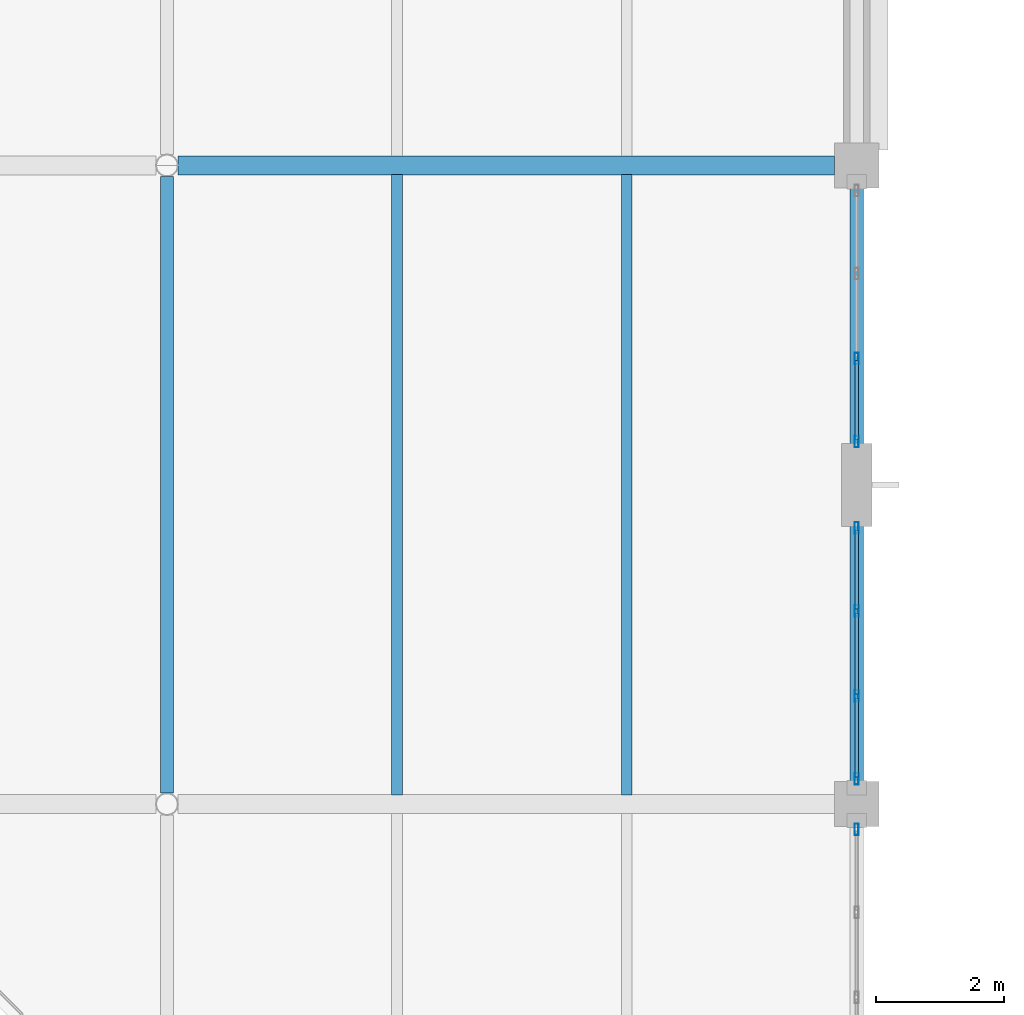
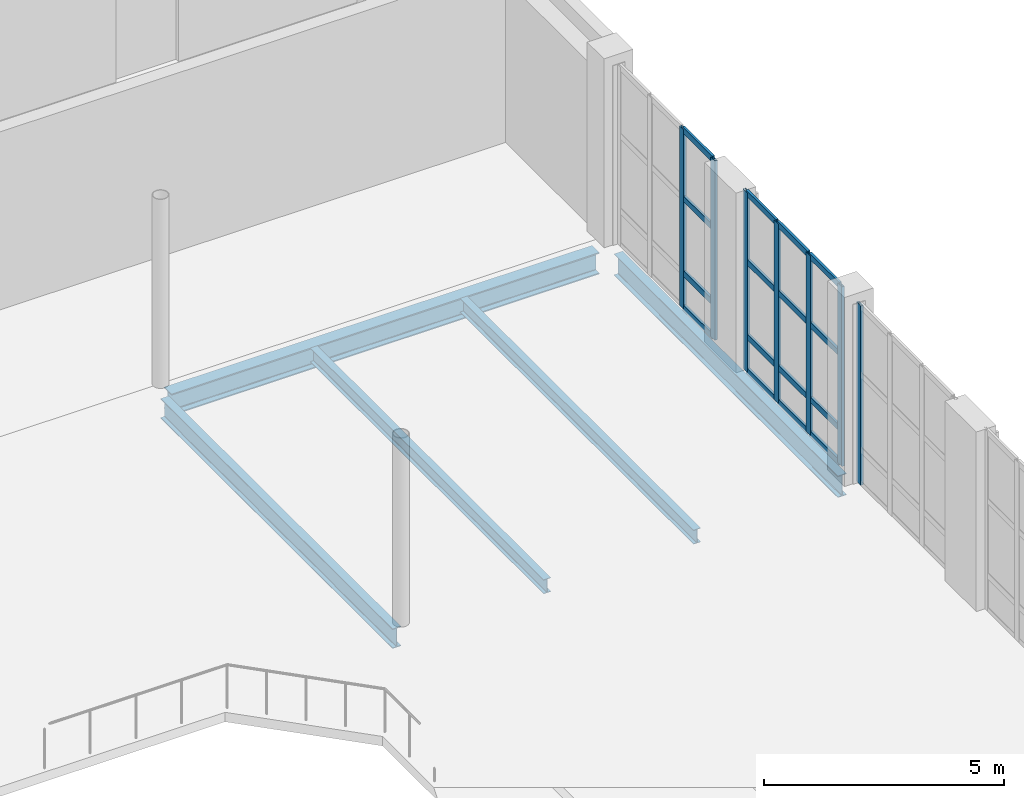
# One storey, part 43 of 92: 23 members, 5 beams, 3 elements without a shape of their own.
"""IFC4 building model written with IfcOpenShell, lengths in metres."""

from ifc_helpers import new_model, si_unit, direction, frame, origin, origin_2d, place, context, subcontext, project, spatial, hollow_rectangle, i_section, extrude, material, layer, layer_set, material_profile, profile_set, type_object, element, aggregate, save


model = new_model("IFC4")

# Units and contexts
model_context = context("Model", 3, precision=1e-05, world=origin(), true_north=direction((0.0, 1.0)))
body_context = subcontext(model_context, "Body", "Model", "MODEL_VIEW")
ifc_project = project(units=[si_unit("LENGTHUNIT", "METRE"), si_unit("AREAUNIT", "SQUARE_METRE"), si_unit("VOLUMEUNIT", "CUBIC_METRE"), si_unit("PLANEANGLEUNIT", "RADIAN"), si_unit("MASSUNIT", "GRAM", prefix="KILO")], contexts=[model_context])

# Site, building, storey
site_placement = place(None, origin())
site = spatial("IfcSite", under=ifc_project, at=site_placement, CompositionType="ELEMENT")
building_placement = place(site_placement, origin())
building = spatial("IfcBuilding", under=site, at=building_placement, Name="Tasgan Crest Museum", CompositionType="ELEMENT")
storey_placement = place(building_placement, frame((0.0, 0.0, 4.800048828125)))
storey = spatial("IfcBuildingStorey", under=building, at=storey_placement, Name="L01", CompositionType="ELEMENT", Elevation=4.800048828125)

# Beams
ifc_material_1 = material(Name="Steel S355K2", Category="steel")
ifc_material_profile_1 = material_profile(ifc_material_1, i_section(OverallWidth=0.300048828125, OverallDepth=0.550048828125, WebThickness=0.014892578125, FlangeThickness=0.029052734375, FilletRadius=0.027099609375, at=origin_2d()), Name="HEB 550")
ifc_profile_set_1 = profile_set([ifc_material_profile_1], Name="Steel S355K2")
beam_type_1 = type_object("IfcBeamType", Name="BM-G-HEB550", PredefinedType="BEAM", material=ifc_profile_set_1)
beam_1_placement = place(storey_placement, frame((97.373779296875, 82.0, -0.51513671875), z_axis=(1.0, 0.0, 0.0), x_axis=(0.0, 1.0, 0.0)))
element("IfcBeam", 1, at=beam_1_placement, inside=storey, type_object=beam_type_1, Name="Girder L01 J 97.2-108.0", PredefinedType="BEAM", context=body_context, shape_type="SweptSolid", body=[
    extrude(i_section(OverallWidth=0.300048828125, OverallDepth=0.550048828125, WebThickness=0.014892578125, FlangeThickness=0.029052734375, FilletRadius=0.027099609375, at=origin_2d()), origin(), (0.0, 0.0, 1.0), 10.2802734375),
])
ifc_material_2 = material(Name="Steel S355J2", Category="steel")
ifc_material_profile_2 = material_profile(ifc_material_2, i_section(OverallWidth=0.199951171875, OverallDepth=0.5, WebThickness=0.01025390625, FlangeThickness=0.01611328125, FilletRadius=0.02099609375, at=origin_2d()), Name="IPE 500")
ifc_profile_set_2 = profile_set([ifc_material_profile_2], Name="Steel S355J2")
beam_type_2 = type_object("IfcBeamType", Name="BM-G-IPE500", PredefinedType="BEAM", material=ifc_profile_set_2)
beam_2_placement = place(storey_placement, frame((97.199951171875, 72.1728515625, -0.489990234375), z_axis=(0.0, 1.0, 0.0), x_axis=(-1.0, 0.0, 0.0)))
element("IfcBeam", 2, at=beam_2_placement, inside=storey, type_object=beam_type_2, Name="Beam L01 10 72.0-82.0", PredefinedType="BEAM", context=body_context, shape_type="SweptSolid", body=[
    extrude(i_section(OverallWidth=0.199951171875, OverallDepth=0.5, WebThickness=0.01025390625, FlangeThickness=0.01611328125, FilletRadius=0.02099609375, at=origin_2d()), origin(), (0.0, 0.0, 1.0), 9.654296875),
])
ifc_material_3 = material(Name="Steel S355J2", Category="steel")
ifc_material_profile_3 = material_profile(ifc_material_3, i_section(OverallWidth=0.2099609375, OverallDepth=0.550048828125, WebThickness=0.010986328125, FlangeThickness=0.01708984375, FilletRadius=0.02392578125, at=origin_2d()), Name="IPE 550")
ifc_profile_set_3 = profile_set([ifc_material_profile_3], Name="Steel S355J2")
beam_type_3 = type_object("IfcBeamType", Name="BM-G-IPE550", PredefinedType="BEAM", material=ifc_profile_set_3)
beam_3_placement = place(storey_placement, frame((108.0, 72.344970703125, -0.51513671875), z_axis=(0.0, 1.0, 0.0), x_axis=(-1.0, 0.0, 0.0)))
element("IfcBeam", 3, at=beam_3_placement, inside=storey, type_object=beam_type_3, Name="Beam L01 11 72.0-82.0", PredefinedType="BEAM", context=body_context, shape_type="SweptSolid", body=[
    extrude(i_section(OverallWidth=0.2099609375, OverallDepth=0.550048828125, WebThickness=0.010986328125, FlangeThickness=0.01708984375, FilletRadius=0.02392578125, at=origin_2d()), origin(), (0.0, 0.0, 1.0), 9.31005859375),
])
ifc_material_4 = material(Name="Steel S355J2", Category="steel")
ifc_material_profile_4 = material_profile(ifc_material_4, i_section(OverallWidth=0.169921875, OverallDepth=0.360107421875, WebThickness=0.008056640625, FlangeThickness=0.0126953125, FilletRadius=0.01806640625, at=origin_2d()), Name="IPE 360")
ifc_profile_set_4 = profile_set([ifc_material_profile_4], Name="Steel S355J2")
beam_type_4 = type_object("IfcBeamType", Name="BM-J-IPE360", PredefinedType="JOIST", material=ifc_profile_set_4)
for number, where, z_axis, x_axis, name in (
    (4, (100.800048828125, 72.14501953125, -0.420166015625), (0.0, 1.0, 0.0), (-1.0, 0.0, 0.0), "Secondary joist L01 X=100.8 Y=72.0-82.0"),
    (5, (104.39990234375, 72.14501953125, -0.420166015625), (0.0, 1.0, 0.0), (-1.0, 0.0, 0.0), "Secondary joist L01 X=104.4 Y=72.0-82.0"),
):
    element("IfcBeam", number, at=place(storey_placement, frame(where, z_axis=z_axis, x_axis=x_axis)), inside=storey, type_object=beam_type_4, Name=name, PredefinedType="JOIST", context=body_context, shape_type="SweptSolid", body=[
        extrude(i_section(OverallWidth=0.169921875, OverallDepth=0.360107421875, WebThickness=0.008056640625, FlangeThickness=0.0126953125, FilletRadius=0.01806640625, at=origin_2d()), origin(), (0.0, 0.0, 1.0), 9.7099609375),
    ])

# Curtain wall, member
ifc_material_5 = material(Name="Triple-Glazed Aluminium Curtain Wall", Category="aluminium")
ifc_layer = layer(ifc_material_5, 0.179931640625, Name="CW-DRUM-Y10-48")
ifc_layer_set = layer_set([ifc_layer], Name="Triple-Glazed Aluminium Curtain Wall")
curtain_wall_type = type_object("IfcCurtainWallType", Name="CW-DRUM-Y10-48", PredefinedType="NOTDEFINED", material=ifc_layer_set)
curtain_wall_1_placement = place(storey_placement, origin())
curtain_wall_1 = element("IfcCurtainWall", 6, at=curtain_wall_1_placement, inside=storey, type_object=curtain_wall_type, Name="Curtain wall L01 058", PredefinedType="NOTDEFINED")
ifc_material_6 = material(Name="Anodised Aluminium", Category="aluminium")
ifc_material_profile_5 = material_profile(ifc_material_6, hollow_rectangle(XDim=0.06494140625, YDim=0.179931640625, WallThickness=0.0048828125, at=origin_2d()), Name="ALU MULLION 180x65x5")
ifc_profile_set_5 = profile_set([ifc_material_profile_5], Name="Anodised Aluminium")
member_type_1 = type_object("IfcMemberType", Name="CW-MULLION-180", PredefinedType="MULLION", material=ifc_profile_set_5)
member_1_placement = place(storey_placement, frame((108.0, 71.60498046875, 0.0), z_axis=(0.0, 0.0, 1.0), x_axis=(-1.0, 0.0, 0.0)))
member_1 = element("IfcMember", 7, at=member_1_placement, type_object=member_type_1, Name="CW04 mullion 4", PredefinedType="MULLION", context=body_context, shape_type="SweptSolid", body=[
    extrude(hollow_rectangle(XDim=0.06494140625, YDim=0.179931640625, WallThickness=0.0048828125, at=origin_2d()), origin(), (0.0, 0.0, 1.0), 4.56005859375),
])
aggregate(curtain_wall_1, [member_1])

# Curtain wall, members
curtain_wall_2_placement = place(storey_placement, origin())
curtain_wall_2 = element("IfcCurtainWall", 8, at=curtain_wall_2_placement, inside=storey, type_object=curtain_wall_type, Name="Curtain wall L01 059", PredefinedType="NOTDEFINED")
member_2_placement = place(storey_placement, frame((108.0, 72.39501953125, 0.0), z_axis=(0.0, 0.0, 1.0), x_axis=(-1.0, 0.0, 0.0)))
member_2 = element("IfcMember", 9, at=member_2_placement, type_object=member_type_1, Name="CW04 mullion 1", PredefinedType="MULLION", context=body_context, shape_type="SweptSolid", body=[
    extrude(hollow_rectangle(XDim=0.06494140625, YDim=0.179931640625, WallThickness=0.0048828125, at=origin_2d()), origin(), (0.0, 0.0, 1.0), 4.56005859375),
])
member_3_placement = place(storey_placement, frame((108.0, 73.695068359375, 0.0), z_axis=(0.0, 0.0, 1.0), x_axis=(-1.0, 0.0, 0.0)))
member_3 = element("IfcMember", 10, at=member_3_placement, type_object=member_type_1, Name="CW04 mullion 2", PredefinedType="MULLION", context=body_context, shape_type="SweptSolid", body=[
    extrude(hollow_rectangle(XDim=0.06494140625, YDim=0.179931640625, WallThickness=0.0048828125, at=origin_2d()), origin(), (0.0, 0.0, 1.0), 4.56005859375),
])
member_4_placement = place(storey_placement, frame((108.0, 75.02490234375, 0.0), z_axis=(0.0, 0.0, 1.0), x_axis=(-1.0, 0.0, 0.0)))
member_4 = element("IfcMember", 11, at=member_4_placement, type_object=member_type_1, Name="CW04 mullion 3", PredefinedType="MULLION", context=body_context, shape_type="SweptSolid", body=[
    extrude(hollow_rectangle(XDim=0.06494140625, YDim=0.179931640625, WallThickness=0.0048828125, at=origin_2d()), origin(), (0.0, 0.0, 1.0), 4.56005859375),
])
member_5_placement = place(storey_placement, frame((108.0, 76.324951171875, 0.0), z_axis=(0.0, 0.0, 1.0), x_axis=(-1.0, 0.0, 0.0)))
member_5 = element("IfcMember", 12, at=member_5_placement, type_object=member_type_1, Name="CW04 mullion 4", PredefinedType="MULLION", context=body_context, shape_type="SweptSolid", body=[
    extrude(hollow_rectangle(XDim=0.06494140625, YDim=0.179931640625, WallThickness=0.0048828125, at=origin_2d()), origin(), (0.0, 0.0, 1.0), 4.56005859375),
])

curtain_wall_3_placement = place(storey_placement, origin())
curtain_wall_3 = element("IfcCurtainWall", 13, at=curtain_wall_3_placement, inside=storey, type_object=curtain_wall_type, Name="Curtain wall L01 060", PredefinedType="NOTDEFINED")
member_6_placement = place(storey_placement, frame((108.0, 77.675048828125, 0.0), z_axis=(0.0, 0.0, 1.0), x_axis=(-1.0, 0.0, 0.0)))
member_6 = element("IfcMember", 14, at=member_6_placement, type_object=member_type_1, Name="CW04 mullion 1", PredefinedType="MULLION", context=body_context, shape_type="SweptSolid", body=[
    extrude(hollow_rectangle(XDim=0.06494140625, YDim=0.179931640625, WallThickness=0.0048828125, at=origin_2d()), origin(), (0.0, 0.0, 1.0), 4.56005859375),
])
member_7_placement = place(storey_placement, frame((108.0, 78.97509765625, 0.0), z_axis=(0.0, 0.0, 1.0), x_axis=(-1.0, 0.0, 0.0)))
member_7 = element("IfcMember", 15, at=member_7_placement, type_object=member_type_1, Name="CW04 mullion 2", PredefinedType="MULLION", context=body_context, shape_type="SweptSolid", body=[
    extrude(hollow_rectangle(XDim=0.06494140625, YDim=0.179931640625, WallThickness=0.0048828125, at=origin_2d()), origin(), (0.0, 0.0, 1.0), 4.56005859375),
])

# Member
ifc_material_7 = material(Name="Anodised Aluminium", Category="aluminium")
ifc_material_profile_6 = material_profile(ifc_material_7, hollow_rectangle(XDim=0.06005859375, YDim=0.14990234375, WallThickness=0.0048828125, at=origin_2d()), Name="ALU TRANSOM 150x60x5")
ifc_profile_set_6 = profile_set([ifc_material_profile_6], Name="Anodised Aluminium")
member_type_2 = type_object("IfcMemberType", Name="CW-TRANSOM-150", PredefinedType="USERDEFINED", material=ifc_profile_set_6)
member_8_placement = place(storey_placement, frame((108.0, 72.425048828125, 0.030029296875), z_axis=(0.0, 1.0, 0.0), x_axis=(-1.0, 0.0, 0.0)))
member_8 = element("IfcMember", 16, at=member_8_placement, type_object=member_type_2, Name="CW04 transom 1.1", ObjectType="TRANSOM", PredefinedType="USERDEFINED", context=body_context, shape_type="SweptSolid", body=[
    extrude(hollow_rectangle(XDim=0.06005859375, YDim=0.14990234375, WallThickness=0.0048828125, at=origin_2d()), origin(), (0.0, 0.0, 1.0), 1.239990234375),
])

member_9_placement = place(storey_placement, frame((108.0, 72.425048828125, 0.89990234375), z_axis=(0.0, 1.0, 0.0), x_axis=(-1.0, 0.0, 0.0)))
member_9 = element("IfcMember", 17, at=member_9_placement, type_object=member_type_2, Name="CW04 transom 1.2", ObjectType="TRANSOM", PredefinedType="USERDEFINED", context=body_context, shape_type="SweptSolid", body=[
    extrude(hollow_rectangle(XDim=0.06005859375, YDim=0.14990234375, WallThickness=0.0048828125, at=origin_2d()), origin(), (0.0, 0.0, 1.0), 1.239990234375),
])

member_10_placement = place(storey_placement, frame((108.0, 72.425048828125, 2.800048828125), z_axis=(0.0, 1.0, 0.0), x_axis=(-1.0, 0.0, 0.0)))
member_10 = element("IfcMember", 18, at=member_10_placement, type_object=member_type_2, Name="CW04 transom 1.3", ObjectType="TRANSOM", PredefinedType="USERDEFINED", context=body_context, shape_type="SweptSolid", body=[
    extrude(hollow_rectangle(XDim=0.06005859375, YDim=0.14990234375, WallThickness=0.0048828125, at=origin_2d()), origin(), (0.0, 0.0, 1.0), 1.239990234375),
])

member_11_placement = place(storey_placement, frame((108.0, 72.425048828125, 4.530029296875), z_axis=(0.0, 1.0, 0.0), x_axis=(-1.0, 0.0, 0.0)))
member_11 = element("IfcMember", 19, at=member_11_placement, type_object=member_type_2, Name="CW04 transom 1.4", ObjectType="TRANSOM", PredefinedType="USERDEFINED", context=body_context, shape_type="SweptSolid", body=[
    extrude(hollow_rectangle(XDim=0.06005859375, YDim=0.14990234375, WallThickness=0.0048828125, at=origin_2d()), origin(), (0.0, 0.0, 1.0), 1.239990234375),
])

member_12_placement = place(storey_placement, frame((108.0, 73.72509765625, 0.030029296875), z_axis=(0.0, 1.0, 0.0), x_axis=(-1.0, 0.0, 0.0)))
member_12 = element("IfcMember", 20, at=member_12_placement, type_object=member_type_2, Name="CW04 transom 2.1", ObjectType="TRANSOM", PredefinedType="USERDEFINED", context=body_context, shape_type="SweptSolid", body=[
    extrude(hollow_rectangle(XDim=0.06005859375, YDim=0.14990234375, WallThickness=0.0048828125, at=origin_2d()), origin(), (0.0, 0.0, 1.0), 1.27001953125),
])

member_13_placement = place(storey_placement, frame((108.0, 73.72509765625, 0.89990234375), z_axis=(0.0, 1.0, 0.0), x_axis=(-1.0, 0.0, 0.0)))
member_13 = element("IfcMember", 21, at=member_13_placement, type_object=member_type_2, Name="CW04 transom 2.2", ObjectType="TRANSOM", PredefinedType="USERDEFINED", context=body_context, shape_type="SweptSolid", body=[
    extrude(hollow_rectangle(XDim=0.06005859375, YDim=0.14990234375, WallThickness=0.0048828125, at=origin_2d()), origin(), (0.0, 0.0, 1.0), 1.27001953125),
])

member_14_placement = place(storey_placement, frame((108.0, 73.72509765625, 2.800048828125), z_axis=(0.0, 1.0, 0.0), x_axis=(-1.0, 0.0, 0.0)))
member_14 = element("IfcMember", 22, at=member_14_placement, type_object=member_type_2, Name="CW04 transom 2.3", ObjectType="TRANSOM", PredefinedType="USERDEFINED", context=body_context, shape_type="SweptSolid", body=[
    extrude(hollow_rectangle(XDim=0.06005859375, YDim=0.14990234375, WallThickness=0.0048828125, at=origin_2d()), origin(), (0.0, 0.0, 1.0), 1.27001953125),
])

member_15_placement = place(storey_placement, frame((108.0, 73.72509765625, 4.530029296875), z_axis=(0.0, 1.0, 0.0), x_axis=(-1.0, 0.0, 0.0)))
member_15 = element("IfcMember", 23, at=member_15_placement, type_object=member_type_2, Name="CW04 transom 2.4", ObjectType="TRANSOM", PredefinedType="USERDEFINED", context=body_context, shape_type="SweptSolid", body=[
    extrude(hollow_rectangle(XDim=0.06005859375, YDim=0.14990234375, WallThickness=0.0048828125, at=origin_2d()), origin(), (0.0, 0.0, 1.0), 1.27001953125),
])

member_16_placement = place(storey_placement, frame((108.0, 75.054931640625, 0.030029296875), z_axis=(0.0, 1.0, 0.0), x_axis=(-1.0, 0.0, 0.0)))
member_16 = element("IfcMember", 24, at=member_16_placement, type_object=member_type_2, Name="CW04 transom 3.1", ObjectType="TRANSOM", PredefinedType="USERDEFINED", context=body_context, shape_type="SweptSolid", body=[
    extrude(hollow_rectangle(XDim=0.06005859375, YDim=0.14990234375, WallThickness=0.0048828125, at=origin_2d()), origin(), (0.0, 0.0, 1.0), 1.239990234375),
])

member_17_placement = place(storey_placement, frame((108.0, 75.054931640625, 0.89990234375), z_axis=(0.0, 1.0, 0.0), x_axis=(-1.0, 0.0, 0.0)))
member_17 = element("IfcMember", 25, at=member_17_placement, type_object=member_type_2, Name="CW04 transom 3.2", ObjectType="TRANSOM", PredefinedType="USERDEFINED", context=body_context, shape_type="SweptSolid", body=[
    extrude(hollow_rectangle(XDim=0.06005859375, YDim=0.14990234375, WallThickness=0.0048828125, at=origin_2d()), origin(), (0.0, 0.0, 1.0), 1.239990234375),
])

member_18_placement = place(storey_placement, frame((108.0, 75.054931640625, 2.800048828125), z_axis=(0.0, 1.0, 0.0), x_axis=(-1.0, 0.0, 0.0)))
member_18 = element("IfcMember", 26, at=member_18_placement, type_object=member_type_2, Name="CW04 transom 3.3", ObjectType="TRANSOM", PredefinedType="USERDEFINED", context=body_context, shape_type="SweptSolid", body=[
    extrude(hollow_rectangle(XDim=0.06005859375, YDim=0.14990234375, WallThickness=0.0048828125, at=origin_2d()), origin(), (0.0, 0.0, 1.0), 1.239990234375),
])

member_19_placement = place(storey_placement, frame((108.0, 75.054931640625, 4.530029296875), z_axis=(0.0, 1.0, 0.0), x_axis=(-1.0, 0.0, 0.0)))
member_19 = element("IfcMember", 27, at=member_19_placement, type_object=member_type_2, Name="CW04 transom 3.4", ObjectType="TRANSOM", PredefinedType="USERDEFINED", context=body_context, shape_type="SweptSolid", body=[
    extrude(hollow_rectangle(XDim=0.06005859375, YDim=0.14990234375, WallThickness=0.0048828125, at=origin_2d()), origin(), (0.0, 0.0, 1.0), 1.239990234375),
])

aggregate(curtain_wall_2, [member_2, member_3, member_4, member_5, member_8, member_9, member_10, member_11, member_12, member_13, member_14, member_15, member_16, member_17, member_18, member_19])

member_20_placement = place(storey_placement, frame((108.0, 77.705078125, 0.030029296875), z_axis=(0.0, 1.0, 0.0), x_axis=(-1.0, 0.0, 0.0)))
member_20 = element("IfcMember", 28, at=member_20_placement, type_object=member_type_2, Name="CW04 transom 1.1", ObjectType="TRANSOM", PredefinedType="USERDEFINED", context=body_context, shape_type="SweptSolid", body=[
    extrude(hollow_rectangle(XDim=0.06005859375, YDim=0.14990234375, WallThickness=0.0048828125, at=origin_2d()), origin(), (0.0, 0.0, 1.0), 1.239990234375),
])

member_21_placement = place(storey_placement, frame((108.0, 77.705078125, 0.89990234375), z_axis=(0.0, 1.0, 0.0), x_axis=(-1.0, 0.0, 0.0)))
member_21 = element("IfcMember", 29, at=member_21_placement, type_object=member_type_2, Name="CW04 transom 1.2", ObjectType="TRANSOM", PredefinedType="USERDEFINED", context=body_context, shape_type="SweptSolid", body=[
    extrude(hollow_rectangle(XDim=0.06005859375, YDim=0.14990234375, WallThickness=0.0048828125, at=origin_2d()), origin(), (0.0, 0.0, 1.0), 1.239990234375),
])

member_22_placement = place(storey_placement, frame((108.0, 77.705078125, 2.800048828125), z_axis=(0.0, 1.0, 0.0), x_axis=(-1.0, 0.0, 0.0)))
member_22 = element("IfcMember", 30, at=member_22_placement, type_object=member_type_2, Name="CW04 transom 1.3", ObjectType="TRANSOM", PredefinedType="USERDEFINED", context=body_context, shape_type="SweptSolid", body=[
    extrude(hollow_rectangle(XDim=0.06005859375, YDim=0.14990234375, WallThickness=0.0048828125, at=origin_2d()), origin(), (0.0, 0.0, 1.0), 1.239990234375),
])

member_23_placement = place(storey_placement, frame((108.0, 77.705078125, 4.530029296875), z_axis=(0.0, 1.0, 0.0), x_axis=(-1.0, 0.0, 0.0)))
member_23 = element("IfcMember", 31, at=member_23_placement, type_object=member_type_2, Name="CW04 transom 1.4", ObjectType="TRANSOM", PredefinedType="USERDEFINED", context=body_context, shape_type="SweptSolid", body=[
    extrude(hollow_rectangle(XDim=0.06005859375, YDim=0.14990234375, WallThickness=0.0048828125, at=origin_2d()), origin(), (0.0, 0.0, 1.0), 1.239990234375),
])

aggregate(curtain_wall_3, [member_6, member_7, member_20, member_21, member_22, member_23])

save(model, "model.ifc")
